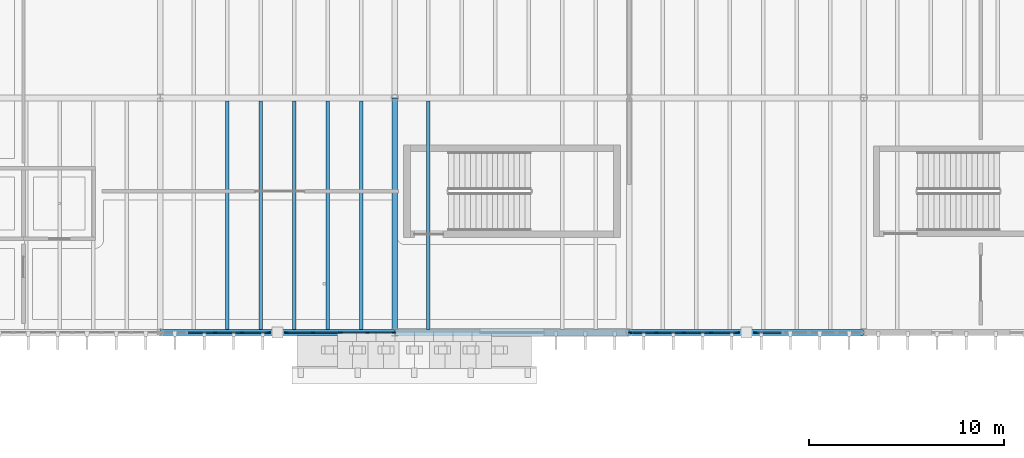
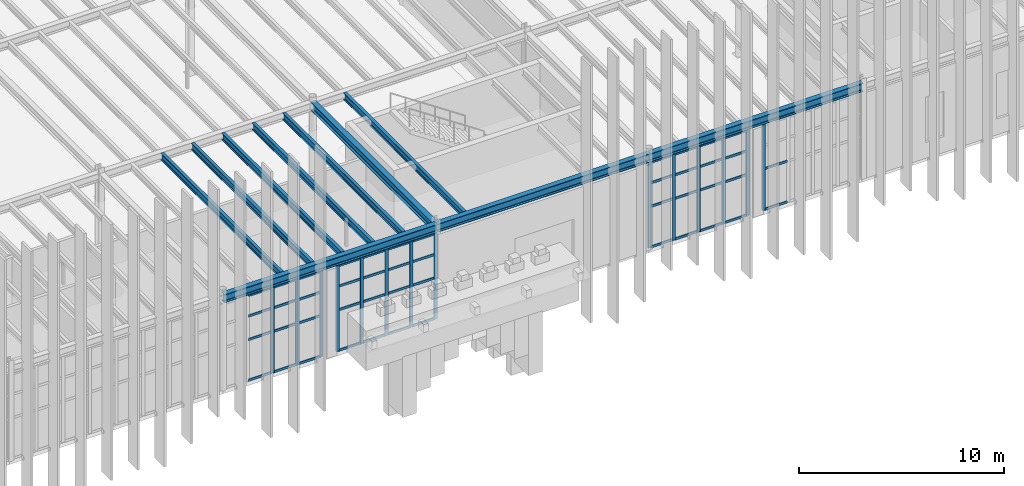
# One storey, part 22 of 83: 60 members, 10 beams, 4 elements without a shape of their own.
"""IFC4 building model written with IfcOpenShell, lengths in metres."""

from ifc_helpers import new_model, si_unit, direction, frame, origin, origin_2d, place, context, subcontext, project, spatial, rectangle, i_section, extrude, material, layer, layer_set, material_profile, profile_set, type_object, element, aggregate, save


model = new_model("IFC4")

# Units and contexts
model_context = context("Model", 3, precision=1e-05, world=origin(), true_north=direction((0.0, 1.0)))
body_context = subcontext(model_context, "Body", "Model", "MODEL_VIEW")
ifc_project = project(units=[si_unit("LENGTHUNIT", "METRE"), si_unit("AREAUNIT", "SQUARE_METRE"), si_unit("VOLUMEUNIT", "CUBIC_METRE"), si_unit("PLANEANGLEUNIT", "RADIAN"), si_unit("MASSUNIT", "GRAM", prefix="KILO")], contexts=[model_context])

# Site, building, storey
site_placement = place(None, origin())
site = spatial("IfcSite", under=ifc_project, at=site_placement, CompositionType="ELEMENT")
building_placement = place(site_placement, origin())
building = spatial("IfcBuilding", under=site, at=building_placement, Name="Zlatogorsky Bluff Art Gallery", CompositionType="ELEMENT")
storey_placement = place(building_placement, frame((0.0, 0.0, 10.800048828125)))
storey = spatial("IfcBuildingStorey", under=building, at=storey_placement, Name="L02", CompositionType="ELEMENT", Elevation=10.800048828125)

# Beams
ifc_material_1 = material(Name="Steel S355", Category="steel")
ifc_material_profile_1 = material_profile(ifc_material_1, i_section(OverallWidth=0.300048828125, OverallDepth=0.489990234375, WebThickness=0.011962890625, FlangeThickness=0.02294921875, FilletRadius=0.027099609375, at=origin_2d()), Name="HEA 500")
ifc_profile_set_1 = profile_set([ifc_material_profile_1], Name="Steel S355")
beam_type_1 = type_object("IfcBeamType", Name="Beam BM-07 HEA 500", PredefinedType="BEAM", material=ifc_profile_set_1)
for number, where, z_axis, x_axis, name in (
    (1, (60.014892578125, 84.0, 5.445068359375), (1.0, 0.0, 0.0), (0.0, 1.0, 0.0), "Primary girder BM-07 L02 F-G/9"),
    (2, (72.014892578125, 84.0, 5.445068359375), (1.0, 0.0, 0.0), (0.0, 1.0, 0.0), "Primary girder BM-07 L02 G-H/9"),
    (3, (84.014892578125, 84.0, 5.445068359375), (1.0, 0.0, 0.0), (0.0, 1.0, 0.0), "Primary girder BM-07 L02 H-J/9"),
    (4, (72.0, 84.014892578125, 5.445068359375), (0.0, 1.0, 0.0), (-1.0, 0.0, 0.0), "Primary girder BM-07 L02 G/9-10"),
):
    element("IfcBeam", number, at=place(storey_placement, frame(where, z_axis=z_axis, x_axis=x_axis)), inside=storey, type_object=beam_type_1, Name=name, PredefinedType="BEAM", context=body_context, shape_type="SweptSolid", body=[
        extrude(i_section(OverallWidth=0.300048828125, OverallDepth=0.489990234375, WebThickness=0.011962890625, FlangeThickness=0.02294921875, FilletRadius=0.027099609375, at=origin_2d()), origin(), (0.0, 0.0, 1.0), 11.97021484375),
    ])
ifc_material_profile_2 = material_profile(ifc_material_1, i_section(OverallWidth=0.179931640625, OverallDepth=0.39990234375, WebThickness=0.008544921875, FlangeThickness=0.013427734375, FilletRadius=0.02099609375, at=origin_2d()), Name="IPE 400")
ifc_profile_set_2 = profile_set([ifc_material_profile_2], Name="Steel S355")
beam_type_2 = type_object("IfcBeamType", Name="Beam JS-05 IPE 400", PredefinedType="JOIST", material=ifc_profile_set_2)
for number, where, z_axis, x_axis, name in (
    (5, (63.428466796875, 84.14990234375, 5.489990234375), (0.0, 1.0, 0.0), (-1.0, 0.0, 0.0), "Composite floor joist JS-05 L02 05.08.2"),
    (6, (65.142822265625, 84.14990234375, 5.489990234375), (0.0, 1.0, 0.0), (-1.0, 0.0, 0.0), "Composite floor joist JS-05 L02 05.08.3"),
    (7, (66.857177734375, 84.14990234375, 5.489990234375), (0.0, 1.0, 0.0), (-1.0, 0.0, 0.0), "Composite floor joist JS-05 L02 05.08.4"),
    (8, (68.571533203125, 84.14990234375, 5.489990234375), (0.0, 1.0, 0.0), (-1.0, 0.0, 0.0), "Composite floor joist JS-05 L02 05.08.5"),
    (9, (70.28564453125, 84.14990234375, 5.489990234375), (0.0, 1.0, 0.0), (-1.0, 0.0, 0.0), "Composite floor joist JS-05 L02 05.08.6"),
    (10, (73.71435546875, 84.14990234375, 5.489990234375), (0.0, 1.0, 0.0), (-1.0, 0.0, 0.0), "Composite floor joist JS-05 L02 06.08.1"),
):
    element("IfcBeam", number, at=place(storey_placement, frame(where, z_axis=z_axis, x_axis=x_axis)), inside=storey, type_object=beam_type_2, Name=name, PredefinedType="JOIST", context=body_context, shape_type="SweptSolid", body=[
        extrude(i_section(OverallWidth=0.179931640625, OverallDepth=0.39990234375, WebThickness=0.008544921875, FlangeThickness=0.013427734375, FilletRadius=0.02099609375, at=origin_2d()), origin(), (0.0, 0.0, 1.0), 11.7001953125),
    ])

# Curtain wall, members
ifc_material_2 = material(Name="Anodised Bronze Aluminium and Low-Iron Triple Glazing", Category="aluminium")
ifc_layer = layer(ifc_material_2, 0.199951171875)
ifc_layer_set = layer_set([ifc_layer], Name="Curtain Wall CW-02")
curtain_wall_type = type_object("IfcCurtainWallType", Name="Curtain Wall CW-02", PredefinedType="USERDEFINED", material=ifc_layer_set)
curtain_wall_1_placement = place(storey_placement, origin())
curtain_wall_1 = element("IfcCurtainWall", 11, at=curtain_wall_1_placement, inside=storey, type_object=curtain_wall_type, Name="Unitised curtain wall CW-02 L02 S 5.8-A", ObjectType="CURTAIN WALL", PredefinedType="USERDEFINED")
ifc_material_3 = material(Name="Anodised Bronze Aluminium", Category="aluminium")
ifc_material_profile_3 = material_profile(ifc_material_3, rectangle(XDim=0.06494140625, YDim=0.179931640625, at=origin_2d()), Name="ALU MULLION 65x180")
ifc_profile_set_3 = profile_set([ifc_material_profile_3], Name="Anodised Bronze Aluminium")
member_type_1 = type_object("IfcMemberType", Name="Curtain Mullion ML-01", PredefinedType="MULLION", material=ifc_profile_set_3)
member_1_placement = place(storey_placement, frame((62.7900390625, 84.0, 0.0), z_axis=(0.0, 0.0, 1.0), x_axis=(0.0, 1.0, 0.0)))
member_1 = element("IfcMember", 12, at=member_1_placement, type_object=member_type_1, Name="CW-02 mullion 3", PredefinedType="MULLION", context=body_context, shape_type="SweptSolid", body=[
    extrude(rectangle(XDim=0.06494140625, YDim=0.179931640625, at=origin_2d()), origin(), (0.0, 0.0, 1.0), 5.10986328125),
])
member_2_placement = place(storey_placement, frame((64.18505859375, 84.0, 0.0), z_axis=(0.0, 0.0, 1.0), x_axis=(0.0, 1.0, 0.0)))
member_2 = element("IfcMember", 13, at=member_2_placement, type_object=member_type_1, Name="CW-02 mullion 4", PredefinedType="MULLION", context=body_context, shape_type="SweptSolid", body=[
    extrude(rectangle(XDim=0.06494140625, YDim=0.179931640625, at=origin_2d()), origin(), (0.0, 0.0, 1.0), 5.10986328125),
])
member_3_placement = place(storey_placement, frame((65.547607421875, 84.0, 0.0), z_axis=(0.0, 0.0, 1.0), x_axis=(0.0, 1.0, 0.0)))
member_3 = element("IfcMember", 14, at=member_3_placement, type_object=member_type_1, Name="CW-02 mullion 5", PredefinedType="MULLION", context=body_context, shape_type="SweptSolid", body=[
    extrude(rectangle(XDim=0.06494140625, YDim=0.179931640625, at=origin_2d()), origin(), (0.0, 0.0, 1.0), 5.10986328125),
])

curtain_wall_2_placement = place(storey_placement, origin())
curtain_wall_2 = element("IfcCurtainWall", 15, at=curtain_wall_2_placement, inside=storey, type_object=curtain_wall_type, Name="Unitised curtain wall CW-02 L02 S 5.8-B", ObjectType="CURTAIN WALL", PredefinedType="USERDEFINED")
member_4_placement = place(storey_placement, frame((66.452392578125, 84.0, 0.0), z_axis=(0.0, 0.0, 1.0), x_axis=(0.0, 1.0, 0.0)))
member_4 = element("IfcMember", 16, at=member_4_placement, type_object=member_type_1, Name="CW-02 mullion 1", PredefinedType="MULLION", context=body_context, shape_type="SweptSolid", body=[
    extrude(rectangle(XDim=0.06494140625, YDim=0.179931640625, at=origin_2d()), origin(), (0.0, 0.0, 1.0), 5.10986328125),
])
member_5_placement = place(storey_placement, frame((67.81494140625, 84.0, 0.0), z_axis=(0.0, 0.0, 1.0), x_axis=(0.0, 1.0, 0.0)))
member_5 = element("IfcMember", 17, at=member_5_placement, type_object=member_type_1, Name="CW-02 mullion 2", PredefinedType="MULLION", context=body_context, shape_type="SweptSolid", body=[
    extrude(rectangle(XDim=0.06494140625, YDim=0.179931640625, at=origin_2d()), origin(), (0.0, 0.0, 1.0), 5.10986328125),
])
member_6_placement = place(storey_placement, frame((69.2099609375, 84.0, 0.0), z_axis=(0.0, 0.0, 1.0), x_axis=(0.0, 1.0, 0.0)))
member_6 = element("IfcMember", 18, at=member_6_placement, type_object=member_type_1, Name="CW-02 mullion 3", PredefinedType="MULLION", context=body_context, shape_type="SweptSolid", body=[
    extrude(rectangle(XDim=0.06494140625, YDim=0.179931640625, at=origin_2d()), origin(), (0.0, 0.0, 1.0), 5.10986328125),
])
member_7_placement = place(storey_placement, frame((70.60498046875, 84.0, 0.0), z_axis=(0.0, 0.0, 1.0), x_axis=(0.0, 1.0, 0.0)))
member_7 = element("IfcMember", 19, at=member_7_placement, type_object=member_type_1, Name="CW-02 mullion 4", PredefinedType="MULLION", context=body_context, shape_type="SweptSolid", body=[
    extrude(rectangle(XDim=0.06494140625, YDim=0.179931640625, at=origin_2d()), origin(), (0.0, 0.0, 1.0), 5.10986328125),
])
member_8_placement = place(storey_placement, frame((71.967529296875, 84.0, 0.0), z_axis=(0.0, 0.0, 1.0), x_axis=(0.0, 1.0, 0.0)))
member_8 = element("IfcMember", 20, at=member_8_placement, type_object=member_type_1, Name="CW-02 mullion 5", PredefinedType="MULLION", context=body_context, shape_type="SweptSolid", body=[
    extrude(rectangle(XDim=0.06494140625, YDim=0.179931640625, at=origin_2d()), origin(), (0.0, 0.0, 1.0), 5.10986328125),
])

curtain_wall_3_placement = place(storey_placement, origin())
curtain_wall_3 = element("IfcCurtainWall", 21, at=curtain_wall_3_placement, inside=storey, type_object=curtain_wall_type, Name="Unitised curtain wall CW-02 L02 S 7.8-A", ObjectType="CURTAIN WALL", PredefinedType="USERDEFINED")
member_9_placement = place(storey_placement, frame((84.032470703125, 84.0, 0.0), z_axis=(0.0, 0.0, 1.0), x_axis=(0.0, 1.0, 0.0)))
member_9 = element("IfcMember", 22, at=member_9_placement, type_object=member_type_1, Name="CW-02 mullion 1", PredefinedType="MULLION", context=body_context, shape_type="SweptSolid", body=[
    extrude(rectangle(XDim=0.06494140625, YDim=0.179931640625, at=origin_2d()), origin(), (0.0, 0.0, 1.0), 5.10986328125),
])
member_10_placement = place(storey_placement, frame((85.39501953125, 84.0, 0.0), z_axis=(0.0, 0.0, 1.0), x_axis=(0.0, 1.0, 0.0)))
member_10 = element("IfcMember", 23, at=member_10_placement, type_object=member_type_1, Name="CW-02 mullion 2", PredefinedType="MULLION", context=body_context, shape_type="SweptSolid", body=[
    extrude(rectangle(XDim=0.06494140625, YDim=0.179931640625, at=origin_2d()), origin(), (0.0, 0.0, 1.0), 5.10986328125),
])
member_11_placement = place(storey_placement, frame((86.7900390625, 84.0, 0.0), z_axis=(0.0, 0.0, 1.0), x_axis=(0.0, 1.0, 0.0)))
member_11 = element("IfcMember", 24, at=member_11_placement, type_object=member_type_1, Name="CW-02 mullion 3", PredefinedType="MULLION", context=body_context, shape_type="SweptSolid", body=[
    extrude(rectangle(XDim=0.06494140625, YDim=0.179931640625, at=origin_2d()), origin(), (0.0, 0.0, 1.0), 5.10986328125),
])
member_12_placement = place(storey_placement, frame((88.18505859375, 84.0, 0.0), z_axis=(0.0, 0.0, 1.0), x_axis=(0.0, 1.0, 0.0)))
member_12 = element("IfcMember", 25, at=member_12_placement, type_object=member_type_1, Name="CW-02 mullion 4", PredefinedType="MULLION", context=body_context, shape_type="SweptSolid", body=[
    extrude(rectangle(XDim=0.06494140625, YDim=0.179931640625, at=origin_2d()), origin(), (0.0, 0.0, 1.0), 5.10986328125),
])
member_13_placement = place(storey_placement, frame((89.547607421875, 84.0, 0.0), z_axis=(0.0, 0.0, 1.0), x_axis=(0.0, 1.0, 0.0)))
member_13 = element("IfcMember", 26, at=member_13_placement, type_object=member_type_1, Name="CW-02 mullion 5", PredefinedType="MULLION", context=body_context, shape_type="SweptSolid", body=[
    extrude(rectangle(XDim=0.06494140625, YDim=0.179931640625, at=origin_2d()), origin(), (0.0, 0.0, 1.0), 5.10986328125),
])

# Curtain wall, member
curtain_wall_4_placement = place(storey_placement, origin())
curtain_wall_4 = element("IfcCurtainWall", 27, at=curtain_wall_4_placement, inside=storey, type_object=curtain_wall_type, Name="Unitised curtain wall CW-02 L02 S 7.8-B", ObjectType="CURTAIN WALL", PredefinedType="USERDEFINED")
member_14_placement = place(storey_placement, frame((90.452392578125, 84.0, 0.0), z_axis=(0.0, 0.0, 1.0), x_axis=(0.0, 1.0, 0.0)))
member_14 = element("IfcMember", 28, at=member_14_placement, type_object=member_type_1, Name="CW-02 mullion 1", PredefinedType="MULLION", context=body_context, shape_type="SweptSolid", body=[
    extrude(rectangle(XDim=0.06494140625, YDim=0.179931640625, at=origin_2d()), origin(), (0.0, 0.0, 1.0), 5.10986328125),
])

# Member
ifc_material_profile_4 = material_profile(ifc_material_3, rectangle(XDim=0.06494140625, YDim=0.139892578125, at=origin_2d()), Name="ALU TRANSOM 65x140")
ifc_profile_set_4 = profile_set([ifc_material_profile_4], Name="Anodised Bronze Aluminium")
member_type_2 = type_object("IfcMemberType", Name="Curtain Transom TR-01", PredefinedType="USERDEFINED", material=ifc_profile_set_4)
member_15_placement = place(storey_placement, frame((61.427490234375, 84.0, 0.032470703125), z_axis=(1.0, 0.0, 0.0), x_axis=(0.0, 1.0, 0.0)))
member_15 = element("IfcMember", 29, at=member_15_placement, type_object=member_type_2, Name="CW-02 transom 2.1", ObjectType="TRANSOM", PredefinedType="USERDEFINED", context=body_context, shape_type="SweptSolid", body=[
    extrude(rectangle(XDim=0.06494140625, YDim=0.139892578125, at=origin_2d()), origin(), (0.0, 0.0, 1.0), 1.330078125),
])

member_16_placement = place(storey_placement, frame((61.427490234375, 84.0, 2.449951171875), z_axis=(1.0, 0.0, 0.0), x_axis=(0.0, 1.0, 0.0)))
member_16 = element("IfcMember", 30, at=member_16_placement, type_object=member_type_2, Name="CW-02 transom 2.2", ObjectType="TRANSOM", PredefinedType="USERDEFINED", context=body_context, shape_type="SweptSolid", body=[
    extrude(rectangle(XDim=0.06494140625, YDim=0.139892578125, at=origin_2d()), origin(), (0.0, 0.0, 1.0), 1.330078125),
])

member_17_placement = place(storey_placement, frame((61.427490234375, 84.0, 3.849853515625), z_axis=(1.0, 0.0, 0.0), x_axis=(0.0, 1.0, 0.0)))
member_17 = element("IfcMember", 31, at=member_17_placement, type_object=member_type_2, Name="CW-02 transom 2.3", ObjectType="TRANSOM", PredefinedType="USERDEFINED", context=body_context, shape_type="SweptSolid", body=[
    extrude(rectangle(XDim=0.06494140625, YDim=0.139892578125, at=origin_2d()), origin(), (0.0, 0.0, 1.0), 1.330078125),
])

member_18_placement = place(storey_placement, frame((61.427490234375, 84.0, 5.077392578125), z_axis=(1.0, 0.0, 0.0), x_axis=(0.0, 1.0, 0.0)))
member_18 = element("IfcMember", 32, at=member_18_placement, type_object=member_type_2, Name="CW-02 transom 2.4", ObjectType="TRANSOM", PredefinedType="USERDEFINED", context=body_context, shape_type="SweptSolid", body=[
    extrude(rectangle(XDim=0.06494140625, YDim=0.139892578125, at=origin_2d()), origin(), (0.0, 0.0, 1.0), 1.330078125),
])

member_19_placement = place(storey_placement, frame((62.822509765625, 84.0, 0.032470703125), z_axis=(1.0, 0.0, 0.0), x_axis=(0.0, 1.0, 0.0)))
member_19 = element("IfcMember", 33, at=member_19_placement, type_object=member_type_2, Name="CW-02 transom 3.1", ObjectType="TRANSOM", PredefinedType="USERDEFINED", context=body_context, shape_type="SweptSolid", body=[
    extrude(rectangle(XDim=0.06494140625, YDim=0.139892578125, at=origin_2d()), origin(), (0.0, 0.0, 1.0), 1.330078125),
])

member_20_placement = place(storey_placement, frame((62.822509765625, 84.0, 2.449951171875), z_axis=(1.0, 0.0, 0.0), x_axis=(0.0, 1.0, 0.0)))
member_20 = element("IfcMember", 34, at=member_20_placement, type_object=member_type_2, Name="CW-02 transom 3.2", ObjectType="TRANSOM", PredefinedType="USERDEFINED", context=body_context, shape_type="SweptSolid", body=[
    extrude(rectangle(XDim=0.06494140625, YDim=0.139892578125, at=origin_2d()), origin(), (0.0, 0.0, 1.0), 1.330078125),
])

member_21_placement = place(storey_placement, frame((62.822509765625, 84.0, 3.849853515625), z_axis=(1.0, 0.0, 0.0), x_axis=(0.0, 1.0, 0.0)))
member_21 = element("IfcMember", 35, at=member_21_placement, type_object=member_type_2, Name="CW-02 transom 3.3", ObjectType="TRANSOM", PredefinedType="USERDEFINED", context=body_context, shape_type="SweptSolid", body=[
    extrude(rectangle(XDim=0.06494140625, YDim=0.139892578125, at=origin_2d()), origin(), (0.0, 0.0, 1.0), 1.330078125),
])

member_22_placement = place(storey_placement, frame((62.822509765625, 84.0, 5.077392578125), z_axis=(1.0, 0.0, 0.0), x_axis=(0.0, 1.0, 0.0)))
member_22 = element("IfcMember", 36, at=member_22_placement, type_object=member_type_2, Name="CW-02 transom 3.4", ObjectType="TRANSOM", PredefinedType="USERDEFINED", context=body_context, shape_type="SweptSolid", body=[
    extrude(rectangle(XDim=0.06494140625, YDim=0.139892578125, at=origin_2d()), origin(), (0.0, 0.0, 1.0), 1.330078125),
])

member_23_placement = place(storey_placement, frame((64.217529296875, 84.0, 0.032470703125), z_axis=(1.0, 0.0, 0.0), x_axis=(0.0, 1.0, 0.0)))
member_23 = element("IfcMember", 37, at=member_23_placement, type_object=member_type_2, Name="CW-02 transom 4.1", ObjectType="TRANSOM", PredefinedType="USERDEFINED", context=body_context, shape_type="SweptSolid", body=[
    extrude(rectangle(XDim=0.06494140625, YDim=0.139892578125, at=origin_2d()), origin(), (0.0, 0.0, 1.0), 1.29736328125),
])

member_24_placement = place(storey_placement, frame((64.217529296875, 84.0, 2.449951171875), z_axis=(1.0, 0.0, 0.0), x_axis=(0.0, 1.0, 0.0)))
member_24 = element("IfcMember", 38, at=member_24_placement, type_object=member_type_2, Name="CW-02 transom 4.2", ObjectType="TRANSOM", PredefinedType="USERDEFINED", context=body_context, shape_type="SweptSolid", body=[
    extrude(rectangle(XDim=0.06494140625, YDim=0.139892578125, at=origin_2d()), origin(), (0.0, 0.0, 1.0), 1.29736328125),
])

member_25_placement = place(storey_placement, frame((64.217529296875, 84.0, 3.849853515625), z_axis=(1.0, 0.0, 0.0), x_axis=(0.0, 1.0, 0.0)))
member_25 = element("IfcMember", 39, at=member_25_placement, type_object=member_type_2, Name="CW-02 transom 4.3", ObjectType="TRANSOM", PredefinedType="USERDEFINED", context=body_context, shape_type="SweptSolid", body=[
    extrude(rectangle(XDim=0.06494140625, YDim=0.139892578125, at=origin_2d()), origin(), (0.0, 0.0, 1.0), 1.29736328125),
])

member_26_placement = place(storey_placement, frame((64.217529296875, 84.0, 5.077392578125), z_axis=(1.0, 0.0, 0.0), x_axis=(0.0, 1.0, 0.0)))
member_26 = element("IfcMember", 40, at=member_26_placement, type_object=member_type_2, Name="CW-02 transom 4.4", ObjectType="TRANSOM", PredefinedType="USERDEFINED", context=body_context, shape_type="SweptSolid", body=[
    extrude(rectangle(XDim=0.06494140625, YDim=0.139892578125, at=origin_2d()), origin(), (0.0, 0.0, 1.0), 1.29736328125),
])

aggregate(curtain_wall_1, [member_1, member_2, member_3, member_15, member_16, member_17, member_18, member_19, member_20, member_21, member_22, member_23, member_24, member_25, member_26])

member_27_placement = place(storey_placement, frame((66.485107421875, 84.0, 0.032470703125), z_axis=(1.0, 0.0, 0.0), x_axis=(0.0, 1.0, 0.0)))
member_27 = element("IfcMember", 41, at=member_27_placement, type_object=member_type_2, Name="CW-02 transom 1.1", ObjectType="TRANSOM", PredefinedType="USERDEFINED", context=body_context, shape_type="SweptSolid", body=[
    extrude(rectangle(XDim=0.06494140625, YDim=0.139892578125, at=origin_2d()), origin(), (0.0, 0.0, 1.0), 1.29736328125),
])

member_28_placement = place(storey_placement, frame((66.485107421875, 84.0, 2.449951171875), z_axis=(1.0, 0.0, 0.0), x_axis=(0.0, 1.0, 0.0)))
member_28 = element("IfcMember", 42, at=member_28_placement, type_object=member_type_2, Name="CW-02 transom 1.2", ObjectType="TRANSOM", PredefinedType="USERDEFINED", context=body_context, shape_type="SweptSolid", body=[
    extrude(rectangle(XDim=0.06494140625, YDim=0.139892578125, at=origin_2d()), origin(), (0.0, 0.0, 1.0), 1.29736328125),
])

member_29_placement = place(storey_placement, frame((66.485107421875, 84.0, 3.849853515625), z_axis=(1.0, 0.0, 0.0), x_axis=(0.0, 1.0, 0.0)))
member_29 = element("IfcMember", 43, at=member_29_placement, type_object=member_type_2, Name="CW-02 transom 1.3", ObjectType="TRANSOM", PredefinedType="USERDEFINED", context=body_context, shape_type="SweptSolid", body=[
    extrude(rectangle(XDim=0.06494140625, YDim=0.139892578125, at=origin_2d()), origin(), (0.0, 0.0, 1.0), 1.29736328125),
])

member_30_placement = place(storey_placement, frame((66.485107421875, 84.0, 5.077392578125), z_axis=(1.0, 0.0, 0.0), x_axis=(0.0, 1.0, 0.0)))
member_30 = element("IfcMember", 44, at=member_30_placement, type_object=member_type_2, Name="CW-02 transom 1.4", ObjectType="TRANSOM", PredefinedType="USERDEFINED", context=body_context, shape_type="SweptSolid", body=[
    extrude(rectangle(XDim=0.06494140625, YDim=0.139892578125, at=origin_2d()), origin(), (0.0, 0.0, 1.0), 1.29736328125),
])

member_31_placement = place(storey_placement, frame((67.847412109375, 84.0, 0.032470703125), z_axis=(1.0, 0.0, 0.0), x_axis=(0.0, 1.0, 0.0)))
member_31 = element("IfcMember", 45, at=member_31_placement, type_object=member_type_2, Name="CW-02 transom 2.1", ObjectType="TRANSOM", PredefinedType="USERDEFINED", context=body_context, shape_type="SweptSolid", body=[
    extrude(rectangle(XDim=0.06494140625, YDim=0.139892578125, at=origin_2d()), origin(), (0.0, 0.0, 1.0), 1.330078125),
])

member_32_placement = place(storey_placement, frame((67.847412109375, 84.0, 2.449951171875), z_axis=(1.0, 0.0, 0.0), x_axis=(0.0, 1.0, 0.0)))
member_32 = element("IfcMember", 46, at=member_32_placement, type_object=member_type_2, Name="CW-02 transom 2.2", ObjectType="TRANSOM", PredefinedType="USERDEFINED", context=body_context, shape_type="SweptSolid", body=[
    extrude(rectangle(XDim=0.06494140625, YDim=0.139892578125, at=origin_2d()), origin(), (0.0, 0.0, 1.0), 1.330078125),
])

member_33_placement = place(storey_placement, frame((67.847412109375, 84.0, 3.849853515625), z_axis=(1.0, 0.0, 0.0), x_axis=(0.0, 1.0, 0.0)))
member_33 = element("IfcMember", 47, at=member_33_placement, type_object=member_type_2, Name="CW-02 transom 2.3", ObjectType="TRANSOM", PredefinedType="USERDEFINED", context=body_context, shape_type="SweptSolid", body=[
    extrude(rectangle(XDim=0.06494140625, YDim=0.139892578125, at=origin_2d()), origin(), (0.0, 0.0, 1.0), 1.330078125),
])

member_34_placement = place(storey_placement, frame((67.847412109375, 84.0, 5.077392578125), z_axis=(1.0, 0.0, 0.0), x_axis=(0.0, 1.0, 0.0)))
member_34 = element("IfcMember", 48, at=member_34_placement, type_object=member_type_2, Name="CW-02 transom 2.4", ObjectType="TRANSOM", PredefinedType="USERDEFINED", context=body_context, shape_type="SweptSolid", body=[
    extrude(rectangle(XDim=0.06494140625, YDim=0.139892578125, at=origin_2d()), origin(), (0.0, 0.0, 1.0), 1.330078125),
])

member_35_placement = place(storey_placement, frame((69.242431640625, 84.0, 0.032470703125), z_axis=(1.0, 0.0, 0.0), x_axis=(0.0, 1.0, 0.0)))
member_35 = element("IfcMember", 49, at=member_35_placement, type_object=member_type_2, Name="CW-02 transom 3.1", ObjectType="TRANSOM", PredefinedType="USERDEFINED", context=body_context, shape_type="SweptSolid", body=[
    extrude(rectangle(XDim=0.06494140625, YDim=0.139892578125, at=origin_2d()), origin(), (0.0, 0.0, 1.0), 1.330078125),
])

member_36_placement = place(storey_placement, frame((69.242431640625, 84.0, 2.449951171875), z_axis=(1.0, 0.0, 0.0), x_axis=(0.0, 1.0, 0.0)))
member_36 = element("IfcMember", 50, at=member_36_placement, type_object=member_type_2, Name="CW-02 transom 3.2", ObjectType="TRANSOM", PredefinedType="USERDEFINED", context=body_context, shape_type="SweptSolid", body=[
    extrude(rectangle(XDim=0.06494140625, YDim=0.139892578125, at=origin_2d()), origin(), (0.0, 0.0, 1.0), 1.330078125),
])

member_37_placement = place(storey_placement, frame((69.242431640625, 84.0, 3.849853515625), z_axis=(1.0, 0.0, 0.0), x_axis=(0.0, 1.0, 0.0)))
member_37 = element("IfcMember", 51, at=member_37_placement, type_object=member_type_2, Name="CW-02 transom 3.3", ObjectType="TRANSOM", PredefinedType="USERDEFINED", context=body_context, shape_type="SweptSolid", body=[
    extrude(rectangle(XDim=0.06494140625, YDim=0.139892578125, at=origin_2d()), origin(), (0.0, 0.0, 1.0), 1.330078125),
])

member_38_placement = place(storey_placement, frame((69.242431640625, 84.0, 5.077392578125), z_axis=(1.0, 0.0, 0.0), x_axis=(0.0, 1.0, 0.0)))
member_38 = element("IfcMember", 52, at=member_38_placement, type_object=member_type_2, Name="CW-02 transom 3.4", ObjectType="TRANSOM", PredefinedType="USERDEFINED", context=body_context, shape_type="SweptSolid", body=[
    extrude(rectangle(XDim=0.06494140625, YDim=0.139892578125, at=origin_2d()), origin(), (0.0, 0.0, 1.0), 1.330078125),
])

member_39_placement = place(storey_placement, frame((70.637451171875, 84.0, 0.032470703125), z_axis=(1.0, 0.0, 0.0), x_axis=(0.0, 1.0, 0.0)))
member_39 = element("IfcMember", 53, at=member_39_placement, type_object=member_type_2, Name="CW-02 transom 4.1", ObjectType="TRANSOM", PredefinedType="USERDEFINED", context=body_context, shape_type="SweptSolid", body=[
    extrude(rectangle(XDim=0.06494140625, YDim=0.139892578125, at=origin_2d()), origin(), (0.0, 0.0, 1.0), 1.297607421875),
])

member_40_placement = place(storey_placement, frame((70.637451171875, 84.0, 2.449951171875), z_axis=(1.0, 0.0, 0.0), x_axis=(0.0, 1.0, 0.0)))
member_40 = element("IfcMember", 54, at=member_40_placement, type_object=member_type_2, Name="CW-02 transom 4.2", ObjectType="TRANSOM", PredefinedType="USERDEFINED", context=body_context, shape_type="SweptSolid", body=[
    extrude(rectangle(XDim=0.06494140625, YDim=0.139892578125, at=origin_2d()), origin(), (0.0, 0.0, 1.0), 1.297607421875),
])

member_41_placement = place(storey_placement, frame((70.637451171875, 84.0, 3.849853515625), z_axis=(1.0, 0.0, 0.0), x_axis=(0.0, 1.0, 0.0)))
member_41 = element("IfcMember", 55, at=member_41_placement, type_object=member_type_2, Name="CW-02 transom 4.3", ObjectType="TRANSOM", PredefinedType="USERDEFINED", context=body_context, shape_type="SweptSolid", body=[
    extrude(rectangle(XDim=0.06494140625, YDim=0.139892578125, at=origin_2d()), origin(), (0.0, 0.0, 1.0), 1.297607421875),
])

member_42_placement = place(storey_placement, frame((70.637451171875, 84.0, 5.077392578125), z_axis=(1.0, 0.0, 0.0), x_axis=(0.0, 1.0, 0.0)))
member_42 = element("IfcMember", 56, at=member_42_placement, type_object=member_type_2, Name="CW-02 transom 4.4", ObjectType="TRANSOM", PredefinedType="USERDEFINED", context=body_context, shape_type="SweptSolid", body=[
    extrude(rectangle(XDim=0.06494140625, YDim=0.139892578125, at=origin_2d()), origin(), (0.0, 0.0, 1.0), 1.297607421875),
])

aggregate(curtain_wall_2, [member_4, member_5, member_6, member_7, member_8, member_27, member_28, member_29, member_30, member_31, member_32, member_33, member_34, member_35, member_36, member_37, member_38, member_39, member_40, member_41, member_42])

member_43_placement = place(storey_placement, frame((84.06494140625, 84.0, 0.032470703125), z_axis=(1.0, 0.0, 0.0), x_axis=(0.0, 1.0, 0.0)))
member_43 = element("IfcMember", 57, at=member_43_placement, type_object=member_type_2, Name="CW-02 transom 1.1", ObjectType="TRANSOM", PredefinedType="USERDEFINED", context=body_context, shape_type="SweptSolid", body=[
    extrude(rectangle(XDim=0.06494140625, YDim=0.139892578125, at=origin_2d()), origin(), (0.0, 0.0, 1.0), 1.297607421875),
])

member_44_placement = place(storey_placement, frame((84.06494140625, 84.0, 2.449951171875), z_axis=(1.0, 0.0, 0.0), x_axis=(0.0, 1.0, 0.0)))
member_44 = element("IfcMember", 58, at=member_44_placement, type_object=member_type_2, Name="CW-02 transom 1.2", ObjectType="TRANSOM", PredefinedType="USERDEFINED", context=body_context, shape_type="SweptSolid", body=[
    extrude(rectangle(XDim=0.06494140625, YDim=0.139892578125, at=origin_2d()), origin(), (0.0, 0.0, 1.0), 1.297607421875),
])

member_45_placement = place(storey_placement, frame((84.06494140625, 84.0, 3.849853515625), z_axis=(1.0, 0.0, 0.0), x_axis=(0.0, 1.0, 0.0)))
member_45 = element("IfcMember", 59, at=member_45_placement, type_object=member_type_2, Name="CW-02 transom 1.3", ObjectType="TRANSOM", PredefinedType="USERDEFINED", context=body_context, shape_type="SweptSolid", body=[
    extrude(rectangle(XDim=0.06494140625, YDim=0.139892578125, at=origin_2d()), origin(), (0.0, 0.0, 1.0), 1.297607421875),
])

member_46_placement = place(storey_placement, frame((84.06494140625, 84.0, 5.077392578125), z_axis=(1.0, 0.0, 0.0), x_axis=(0.0, 1.0, 0.0)))
member_46 = element("IfcMember", 60, at=member_46_placement, type_object=member_type_2, Name="CW-02 transom 1.4", ObjectType="TRANSOM", PredefinedType="USERDEFINED", context=body_context, shape_type="SweptSolid", body=[
    extrude(rectangle(XDim=0.06494140625, YDim=0.139892578125, at=origin_2d()), origin(), (0.0, 0.0, 1.0), 1.297607421875),
])

member_47_placement = place(storey_placement, frame((85.427490234375, 84.0, 0.032470703125), z_axis=(1.0, 0.0, 0.0), x_axis=(0.0, 1.0, 0.0)))
member_47 = element("IfcMember", 61, at=member_47_placement, type_object=member_type_2, Name="CW-02 transom 2.1", ObjectType="TRANSOM", PredefinedType="USERDEFINED", context=body_context, shape_type="SweptSolid", body=[
    extrude(rectangle(XDim=0.06494140625, YDim=0.139892578125, at=origin_2d()), origin(), (0.0, 0.0, 1.0), 1.330078125),
])

member_48_placement = place(storey_placement, frame((85.427490234375, 84.0, 2.449951171875), z_axis=(1.0, 0.0, 0.0), x_axis=(0.0, 1.0, 0.0)))
member_48 = element("IfcMember", 62, at=member_48_placement, type_object=member_type_2, Name="CW-02 transom 2.2", ObjectType="TRANSOM", PredefinedType="USERDEFINED", context=body_context, shape_type="SweptSolid", body=[
    extrude(rectangle(XDim=0.06494140625, YDim=0.139892578125, at=origin_2d()), origin(), (0.0, 0.0, 1.0), 1.330078125),
])

member_49_placement = place(storey_placement, frame((85.427490234375, 84.0, 3.849853515625), z_axis=(1.0, 0.0, 0.0), x_axis=(0.0, 1.0, 0.0)))
member_49 = element("IfcMember", 63, at=member_49_placement, type_object=member_type_2, Name="CW-02 transom 2.3", ObjectType="TRANSOM", PredefinedType="USERDEFINED", context=body_context, shape_type="SweptSolid", body=[
    extrude(rectangle(XDim=0.06494140625, YDim=0.139892578125, at=origin_2d()), origin(), (0.0, 0.0, 1.0), 1.330078125),
])

member_50_placement = place(storey_placement, frame((85.427490234375, 84.0, 5.077392578125), z_axis=(1.0, 0.0, 0.0), x_axis=(0.0, 1.0, 0.0)))
member_50 = element("IfcMember", 64, at=member_50_placement, type_object=member_type_2, Name="CW-02 transom 2.4", ObjectType="TRANSOM", PredefinedType="USERDEFINED", context=body_context, shape_type="SweptSolid", body=[
    extrude(rectangle(XDim=0.06494140625, YDim=0.139892578125, at=origin_2d()), origin(), (0.0, 0.0, 1.0), 1.330078125),
])

member_51_placement = place(storey_placement, frame((86.822509765625, 84.0, 0.032470703125), z_axis=(1.0, 0.0, 0.0), x_axis=(0.0, 1.0, 0.0)))
member_51 = element("IfcMember", 65, at=member_51_placement, type_object=member_type_2, Name="CW-02 transom 3.1", ObjectType="TRANSOM", PredefinedType="USERDEFINED", context=body_context, shape_type="SweptSolid", body=[
    extrude(rectangle(XDim=0.06494140625, YDim=0.139892578125, at=origin_2d()), origin(), (0.0, 0.0, 1.0), 1.330078125),
])

member_52_placement = place(storey_placement, frame((86.822509765625, 84.0, 2.449951171875), z_axis=(1.0, 0.0, 0.0), x_axis=(0.0, 1.0, 0.0)))
member_52 = element("IfcMember", 66, at=member_52_placement, type_object=member_type_2, Name="CW-02 transom 3.2", ObjectType="TRANSOM", PredefinedType="USERDEFINED", context=body_context, shape_type="SweptSolid", body=[
    extrude(rectangle(XDim=0.06494140625, YDim=0.139892578125, at=origin_2d()), origin(), (0.0, 0.0, 1.0), 1.330078125),
])

member_53_placement = place(storey_placement, frame((86.822509765625, 84.0, 3.849853515625), z_axis=(1.0, 0.0, 0.0), x_axis=(0.0, 1.0, 0.0)))
member_53 = element("IfcMember", 67, at=member_53_placement, type_object=member_type_2, Name="CW-02 transom 3.3", ObjectType="TRANSOM", PredefinedType="USERDEFINED", context=body_context, shape_type="SweptSolid", body=[
    extrude(rectangle(XDim=0.06494140625, YDim=0.139892578125, at=origin_2d()), origin(), (0.0, 0.0, 1.0), 1.330078125),
])

member_54_placement = place(storey_placement, frame((86.822509765625, 84.0, 5.077392578125), z_axis=(1.0, 0.0, 0.0), x_axis=(0.0, 1.0, 0.0)))
member_54 = element("IfcMember", 68, at=member_54_placement, type_object=member_type_2, Name="CW-02 transom 3.4", ObjectType="TRANSOM", PredefinedType="USERDEFINED", context=body_context, shape_type="SweptSolid", body=[
    extrude(rectangle(XDim=0.06494140625, YDim=0.139892578125, at=origin_2d()), origin(), (0.0, 0.0, 1.0), 1.330078125),
])

member_55_placement = place(storey_placement, frame((88.217529296875, 84.0, 0.032470703125), z_axis=(1.0, 0.0, 0.0), x_axis=(0.0, 1.0, 0.0)))
member_55 = element("IfcMember", 69, at=member_55_placement, type_object=member_type_2, Name="CW-02 transom 4.1", ObjectType="TRANSOM", PredefinedType="USERDEFINED", context=body_context, shape_type="SweptSolid", body=[
    extrude(rectangle(XDim=0.06494140625, YDim=0.139892578125, at=origin_2d()), origin(), (0.0, 0.0, 1.0), 1.29736328125),
])

member_56_placement = place(storey_placement, frame((88.217529296875, 84.0, 2.449951171875), z_axis=(1.0, 0.0, 0.0), x_axis=(0.0, 1.0, 0.0)))
member_56 = element("IfcMember", 70, at=member_56_placement, type_object=member_type_2, Name="CW-02 transom 4.2", ObjectType="TRANSOM", PredefinedType="USERDEFINED", context=body_context, shape_type="SweptSolid", body=[
    extrude(rectangle(XDim=0.06494140625, YDim=0.139892578125, at=origin_2d()), origin(), (0.0, 0.0, 1.0), 1.29736328125),
])

member_57_placement = place(storey_placement, frame((88.217529296875, 84.0, 3.849853515625), z_axis=(1.0, 0.0, 0.0), x_axis=(0.0, 1.0, 0.0)))
member_57 = element("IfcMember", 71, at=member_57_placement, type_object=member_type_2, Name="CW-02 transom 4.3", ObjectType="TRANSOM", PredefinedType="USERDEFINED", context=body_context, shape_type="SweptSolid", body=[
    extrude(rectangle(XDim=0.06494140625, YDim=0.139892578125, at=origin_2d()), origin(), (0.0, 0.0, 1.0), 1.29736328125),
])

member_58_placement = place(storey_placement, frame((88.217529296875, 84.0, 5.077392578125), z_axis=(1.0, 0.0, 0.0), x_axis=(0.0, 1.0, 0.0)))
member_58 = element("IfcMember", 72, at=member_58_placement, type_object=member_type_2, Name="CW-02 transom 4.4", ObjectType="TRANSOM", PredefinedType="USERDEFINED", context=body_context, shape_type="SweptSolid", body=[
    extrude(rectangle(XDim=0.06494140625, YDim=0.139892578125, at=origin_2d()), origin(), (0.0, 0.0, 1.0), 1.29736328125),
])

aggregate(curtain_wall_3, [member_9, member_10, member_11, member_12, member_13, member_43, member_44, member_45, member_46, member_47, member_48, member_49, member_50, member_51, member_52, member_53, member_54, member_55, member_56, member_57, member_58])

member_59_placement = place(storey_placement, frame((90.485107421875, 84.0, 0.032470703125), z_axis=(1.0, 0.0, 0.0), x_axis=(0.0, 1.0, 0.0)))
member_59 = element("IfcMember", 73, at=member_59_placement, type_object=member_type_2, Name="CW-02 transom 1.1", ObjectType="TRANSOM", PredefinedType="USERDEFINED", context=body_context, shape_type="SweptSolid", body=[
    extrude(rectangle(XDim=0.06494140625, YDim=0.139892578125, at=origin_2d()), origin(), (0.0, 0.0, 1.0), 1.29736328125),
])

member_60_placement = place(storey_placement, frame((90.485107421875, 84.0, 2.449951171875), z_axis=(1.0, 0.0, 0.0), x_axis=(0.0, 1.0, 0.0)))
member_60 = element("IfcMember", 74, at=member_60_placement, type_object=member_type_2, Name="CW-02 transom 1.2", ObjectType="TRANSOM", PredefinedType="USERDEFINED", context=body_context, shape_type="SweptSolid", body=[
    extrude(rectangle(XDim=0.06494140625, YDim=0.139892578125, at=origin_2d()), origin(), (0.0, 0.0, 1.0), 1.29736328125),
])

aggregate(curtain_wall_4, [member_14, member_59, member_60])

save(model, "model.ifc")
